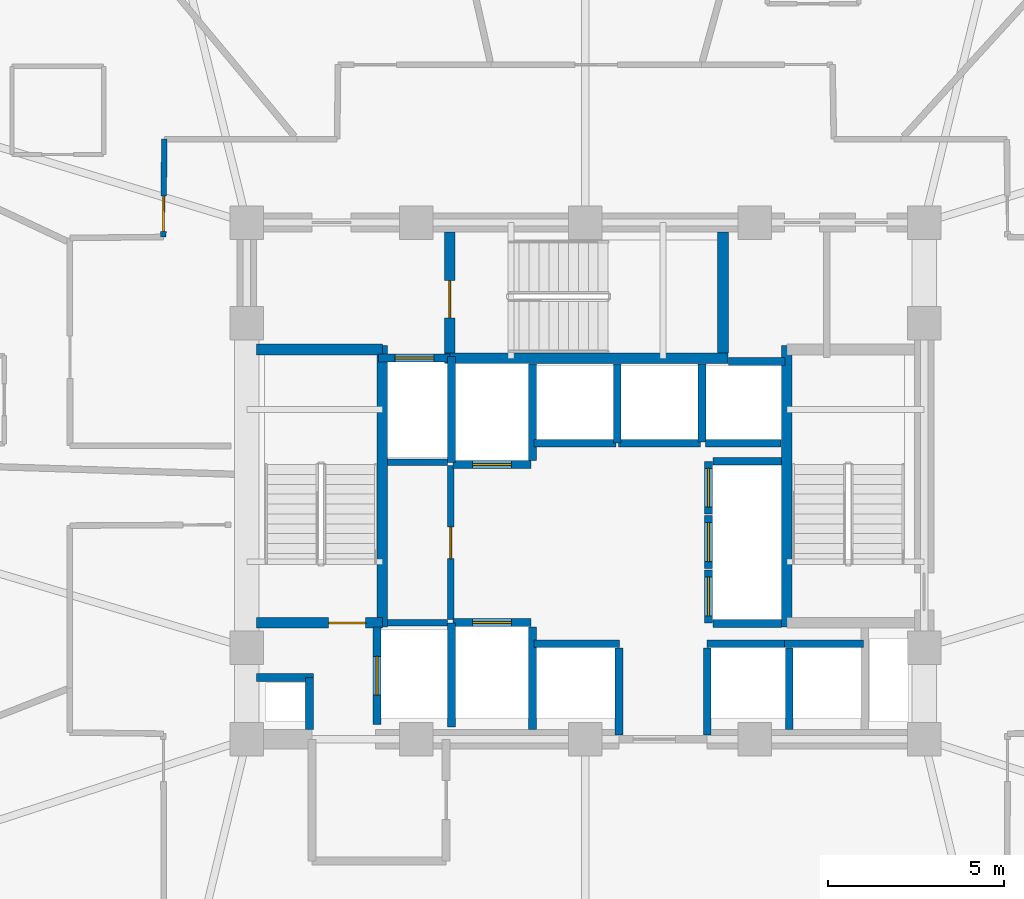
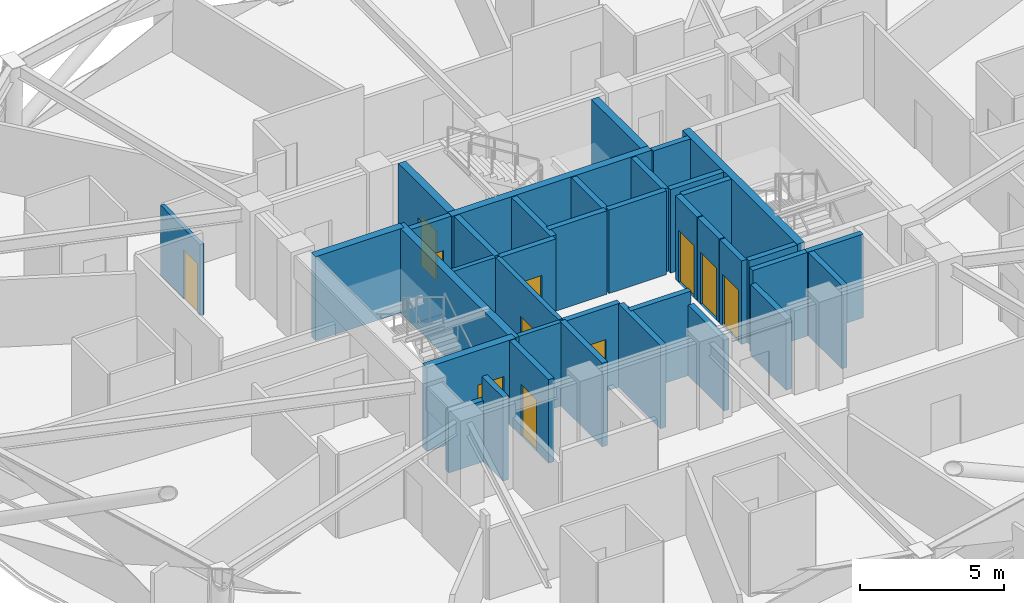
# One storey, part 9 of 15: 38 walls, 11 doors, 11 openings.
"""IFC4 building model written with IfcOpenShell, lengths in metres."""

import ifcopenshell
import ifcopenshell.guid

model = None  # the IFC model being written
_history = None  # IfcOwnerHistory: only IFC2X3 demands one
_inside = {}  # id of a spatial element -> (the spatial element, [elements in it])
_under = {}  # id of a project, library or spatial element -> (it, [spatial elements below it])
_declared = {}  # id of a project -> (the project, [libraries it declares])
_typed = {}  # id of a type object -> (the type object, [elements of that type])
_made_of = {}  # id of a material, layer set ... -> (it, [elements and type objects made of it])


def new_model(schema):
    """Start an empty IFC model of exactly this schema.

    Asked for "IFC4X3", IfcOpenShell would pick the latest addendum, in which some entities
    have other attributes; the version numbers below select the first issue.
    IFC2X3 requires an IfcOwnerHistory on every rooted entity: one is made here for all.
    """
    global model, _history
    if schema == "IFC4X3":
        model = ifcopenshell.file(schema_version=(4, 3, 0, 0))
    else:
        model = ifcopenshell.file(schema=schema)
    _inside.clear()
    _under.clear()
    _declared.clear()
    _typed.clear()
    _made_of.clear()
    _history = None
    if model.schema == "IFC2X3":
        org = make("IfcOrganization", Name="unknown")
        user = make(
            "IfcPersonAndOrganization",
            ThePerson=make("IfcPerson", FamilyName="unknown"),
            TheOrganization=org,
        )
        app = make(
            "IfcApplication",
            ApplicationDeveloper=org,
            Version="unknown",
            ApplicationFullName="unknown",
            ApplicationIdentifier="unknown",
        )
        _history = make(
            "IfcOwnerHistory",
            OwningUser=user,
            OwningApplication=app,
            ChangeAction="ADDED",
            CreationDate=0,
        )
    return model


def make(cls, **values):
    """One entity of the class cls with the attributes given. An attribute that is None is left unset."""
    return model.create_entity(
        cls, **{name: value for name, value in values.items() if value is not None}
    )


def rooted(cls, **values):
    """An entity with a GlobalId (a new one), such as an element, a storey or a relation."""
    return make(cls, GlobalId=ifcopenshell.guid.new(), OwnerHistory=_history, **values)


def si_unit(unit_type, name, prefix=None):
    """IfcSIUnit, for example si_unit("LENGTHUNIT", "METRE", prefix="MILLI")."""
    return make("IfcSIUnit", UnitType=unit_type, Prefix=prefix, Name=name)


def assignment(units):
    """IfcUnitAssignment: the units of a project."""
    return None if units is None else make("IfcUnitAssignment", Units=units)


def point(xyz):
    """IfcCartesianPoint."""
    return None if xyz is None else make("IfcCartesianPoint", Coordinates=xyz)


def direction(xyz):
    """IfcDirection."""
    return None if xyz is None else make("IfcDirection", DirectionRatios=xyz)


def frame(location, z_axis=None, x_axis=None):
    """IfcAxis2Placement3D, a coordinate frame: its origin and axes. An axis left out is left unset."""
    return make(
        "IfcAxis2Placement3D",
        Location=point(location),
        Axis=direction(z_axis),
        RefDirection=direction(x_axis),
    )


def frame_2d(location, x_axis=None):
    """IfcAxis2Placement2D, a coordinate frame in the plane: its origin and x axis."""
    return make(
        "IfcAxis2Placement2D", Location=point(location), RefDirection=direction(x_axis)
    )


def origin():
    """The frame at (0, 0, 0) with its axes left unset."""
    return frame((0.0, 0.0, 0.0))


def place(relative_to, where):
    """IfcLocalPlacement: puts the frame where relative to a parent placement (None: the world)."""
    return make(
        "IfcLocalPlacement", PlacementRelTo=relative_to, RelativePlacement=where
    )


def context(
    kind, dimensions, precision=None, world=None, true_north=None, identifier=None
):
    """IfcGeometricRepresentationContext, for example the 3D "Model" context."""
    return make(
        "IfcGeometricRepresentationContext",
        ContextIdentifier=identifier,
        ContextType=kind,
        CoordinateSpaceDimension=dimensions,
        Precision=precision,
        WorldCoordinateSystem=world,
        TrueNorth=true_north,
    )


def subcontext(parent, identifier, kind, view, scale=None):
    """IfcGeometricRepresentationSubContext, for example "Body" below "Model"."""
    return make(
        "IfcGeometricRepresentationSubContext",
        ContextIdentifier=identifier,
        ContextType=kind,
        ParentContext=parent,
        TargetScale=scale,
        TargetView=view,
    )


def project(units=None, contexts=None):
    """IfcProject with its units and contexts."""
    return rooted(
        "IfcProject",
        Name="project",
        RepresentationContexts=contexts,
        UnitsInContext=assignment(units),
    )


def spatial(cls, under=None, at=None, **own):
    """A site, building, storey or space (cls), placed at a placement, below another one or the project."""
    s = rooted(cls, ObjectPlacement=at, **own)
    if under is not None:
        _under.setdefault(under.id(), (under, []))[1].append(s)
    return s


def profile(cls, at=None, kind="AREA", **sizes):
    """A parametric profile (cls). Its sizes go by their IFC names, for example OverallWidth=200.0."""
    return make(cls, ProfileType=kind, Position=at, **sizes)


def rectangle(**sizes):
    """IfcRectangleProfileDef."""
    return profile("IfcRectangleProfileDef", **sizes)


def extrude(swept, where, along, depth):
    """IfcExtrudedAreaSolid: the profile swept, set in the frame where, extruded along a direction by depth."""
    return make(
        "IfcExtrudedAreaSolid",
        SweptArea=swept,
        Position=where,
        ExtrudedDirection=direction(along),
        Depth=depth,
    )


def shape(context_of_items, identifier, shape_type, items):
    """IfcShapeRepresentation: the items that make up one representation, for example the "Body"."""
    return make(
        "IfcShapeRepresentation",
        ContextOfItems=context_of_items,
        RepresentationIdentifier=identifier,
        RepresentationType=shape_type,
        Items=items,
    )


def material(Name=None, Category=None):
    """IfcMaterial."""
    return make("IfcMaterial", Name=Name, Category=Category)


def layer(
    of_material, thickness, ventilated=None, Name=None, Category=None, Priority=None
):
    """IfcMaterialLayer: one layer of a wall or slab, of a material (None: an air gap)."""
    return make(
        "IfcMaterialLayer",
        Material=of_material,
        LayerThickness=thickness,
        IsVentilated=ventilated,
        Name=Name,
        Category=Category,
        Priority=Priority,
    )


def layer_set(layers, Name=None):
    """IfcMaterialLayerSet."""
    return make("IfcMaterialLayerSet", MaterialLayers=layers, LayerSetName=Name)


def made_of(thing, what):
    """Note that an element or type object is made of a material, layer set ...; save() writes the relation."""
    if what is not None:
        _made_of.setdefault(what.id(), (what, []))[1].append(thing)
    return thing


def type_object(cls, material=None, **own):
    """A type object (cls), such as IfcWallType, which elements share."""
    return made_of(rooted(cls, **own), material)


def element(
    cls,
    number,
    at=None,
    inside=None,
    cuts=None,
    type_object=None,
    material=None,
    context=None,
    identifier="Body",
    shape_type=None,
    held_by="IfcProductDefinitionShape",
    body=None,
    shapes=None,
    **own,
):
    """One element of the class cls, such as IfcWall. Its Tag is "e" and its number.

    at: its placement. inside: the storey or other place that contains it. cuts: it is an
    opening in that element (IfcRelVoidsElement). A single representation is given by context,
    identifier, shape_type and body (its items); several are given by shapes. held_by: the class
    of the entity that holds the representations. save() writes the other relations.
    """
    e = rooted(cls, Tag="e%d" % number, ObjectPlacement=at, **own)
    if body is not None:
        shapes = [shape(context, identifier, shape_type, body)]
    if shapes is not None:
        e.Representation = make(held_by, Representations=shapes)
    if inside is not None:
        _inside.setdefault(inside.id(), (inside, []))[1].append(e)
    if cuts is not None:
        rooted(
            "IfcRelVoidsElement", RelatingBuildingElement=cuts, RelatedOpeningElement=e
        )
    if type_object is not None:
        _typed.setdefault(type_object.id(), (type_object, []))[1].append(e)
    return made_of(e, material)


def fill(opening, filler):
    """IfcRelFillsElement: the door or window that sits in an opening."""
    return rooted(
        "IfcRelFillsElement",
        RelatingOpeningElement=opening,
        RelatedBuildingElement=filler,
    )


def aggregate(whole, parts):
    """IfcRelAggregates: a whole, such as a stair, and the parts it consists of."""
    return rooted("IfcRelAggregates", RelatingObject=whole, RelatedObjects=parts)


def save(model, path):
    """Write the relations noted so far, then the file.

    IfcRelAggregates (storeys below a building ...), IfcRelContainedInSpatialStructure (elements
    in a storey), IfcRelDefinesByType, IfcRelAssociatesMaterial and IfcRelDeclares: one each for
    every whole, place, type object, material and project.
    """
    for whole, parts in _under.values():
        aggregate(whole, parts)
    for where, things in _inside.values():
        rooted(
            "IfcRelContainedInSpatialStructure",
            RelatedElements=things,
            RelatingStructure=where,
        )
    for kind, things in _typed.values():
        rooted("IfcRelDefinesByType", RelatedObjects=things, RelatingType=kind)
    for what, things in _made_of.values():
        rooted("IfcRelAssociatesMaterial", RelatedObjects=things, RelatingMaterial=what)
    for by, libraries in _declared.values():
        rooted("IfcRelDeclares", RelatingContext=by, RelatedDefinitions=libraries)
    model.write(path)


model = new_model("IFC4")

# Units and contexts
model_context = context("Model", 3, precision=1e-05, world=origin(), true_north=direction((0.0, 1.0)))
body_context = subcontext(model_context, "Body", "Model", "MODEL_VIEW")
ifc_project = project(units=[si_unit("LENGTHUNIT", "METRE"), si_unit("AREAUNIT", "SQUARE_METRE"), si_unit("VOLUMEUNIT", "CUBIC_METRE"), si_unit("PLANEANGLEUNIT", "RADIAN"), si_unit("MASSUNIT", "GRAM", prefix="KILO")], contexts=[model_context])

# Site, building, storey
site_placement = place(None, origin())
site = spatial("IfcSite", under=ifc_project, at=site_placement, CompositionType="ELEMENT")
building_placement = place(site_placement, origin())
building = spatial("IfcBuilding", under=site, at=building_placement, Name="Vantalir Tower", CompositionType="ELEMENT")
storey_placement = place(building_placement, frame((0.0, 0.0, 134.699951171875)))
storey = spatial("IfcBuildingStorey", under=building, at=storey_placement, Name="L33", CompositionType="ELEMENT", Elevation=134.699951171875)

# Wall, opening, door
ifc_material_1 = material(Name="Fire-rated hotel corridor acoustic partition", Category="gypsum")
ifc_layer_1 = layer(ifc_material_1, 0.159912109375)
ifc_layer_set_1 = layer_set([ifc_layer_1], Name="Fire-rated hotel corridor acoustic partition")
wall_type_1 = type_object("IfcWallType", Name="WL-CORR-160", PredefinedType="PARTITIONING", material=ifc_layer_set_1)
wall_1_placement = place(storey_placement, frame((19.534912109375, 32.0400390625, 0.0), z_axis=(0.0, 0.0, 1.0), x_axis=(0.009071319538, 0.999958854734, 0.0)))
wall_1 = element("IfcWall", 1, at=wall_1_placement, inside=storey, type_object=wall_type_1, Name="L33 Corridor Partition 04", PredefinedType="PARTITIONING", context=body_context, shape_type="SweptSolid", body=[
    extrude(rectangle(XDim=2.77197265625, YDim=0.159912109375, at=frame_2d((1.385986328125, 0.0))), origin(), (0.0, 0.0, 1.0), 3.006103515625),
])
opening_1_placement = place(wall_1_placement, frame((0.159912109375, 0.0, 0.0)))
opening_1 = element("IfcOpeningElement", 2, at=opening_1_placement, cuts=wall_1, Name="Opening D-GUEST", PredefinedType="OPENING", context=body_context, shape_type="SweptSolid", body=[
    extrude(rectangle(XDim=1.0, YDim=2.10009765625, at=frame_2d((0.5, 1.050048828125))), frame((0.0, 0.08984375, 0.0), z_axis=(0.0, -1.0, 0.0), x_axis=(1.0, 0.0, 0.0)), (0.0, 0.0, 1.0), 0.179931640625),
])
ifc_material_2 = material(Name="Solid-core teak veneer acoustic fire door", Category="wood")
door_type_1 = type_object("IfcDoorType", Name="DR-GUEST-ENTRY-1000", OperationType="NOTDEFINED", PredefinedType="DOOR", material=ifc_material_2)
door_1_placement = place(opening_1_placement, origin())
door_1 = element("IfcDoor", 3, at=door_1_placement, inside=storey, type_object=door_type_1, Name="L33 Twin Queen Hotel Room 05 Door", OperationType="SINGLE_SWING_RIGHT", OverallHeight=2.10009765625, OverallWidth=1.0, PredefinedType="DOOR", context=body_context, shape_type="SweptSolid", body=[
    extrude(rectangle(XDim=1.0, YDim=2.10009765625, at=frame_2d((0.5, 1.050048828125))), frame((0.0, 0.02490234375, 0.0), z_axis=(0.0, -1.0, 0.0), x_axis=(1.0, 0.0, 0.0)), (0.0, 0.0, 1.0), 0.050048828125),
])
fill(opening_1, door_1)

# Walls
ifc_material_3 = material(Name="Concrete blockwork with fireboard lining", Category="masonry")
ifc_layer_2 = layer(ifc_material_3, 0.219970703125)
ifc_layer_set_2 = layer_set([ifc_layer_2], Name="Concrete blockwork with fireboard lining")
wall_type_2 = type_object("IfcWallType", Name="WL-FFL-220", PredefinedType="PARTITIONING", material=ifc_layer_set_2)
wall_2_placement = place(storey_placement, frame((30.0, 18.080078125, 0.0), z_axis=(0.0, 0.0, 1.0), x_axis=(0.0, 1.0, 0.0)))
element("IfcWall", 4, at=wall_2_placement, inside=storey, type_object=wall_type_2, Name="L33 Service Lift SV1 East Shaft Wall", PredefinedType="PARTITIONING", context=body_context, shape_type="SweptSolid", body=[
    extrude(rectangle(XDim=2.89990234375, YDim=0.219970703125, at=frame_2d((1.449951171875, 0.0))), origin(), (0.0, 0.0, 1.0), 3.545166015625),
])
for number, where, z_axis, x_axis, name in (
    (5, (32.449951171875, 17.919921875, 0.0), (0.0, 0.0, 1.0), (0.0, 1.0, 0.0), "L33 Shuttle Lift PL-X1 East Shaft Cheek"),
    (6, (34.949951171875, 17.919921875, 0.0), (0.0, 0.0, 1.0), (0.0, 1.0, 0.0), "L33 Shuttle Lift PL-X3 West Shaft Cheek"),
):
    element("IfcWall", number, at=place(storey_placement, frame(where, z_axis=z_axis, x_axis=x_axis)), inside=storey, type_object=wall_type_2, Name=name, PredefinedType="PARTITIONING", context=body_context, shape_type="SweptSolid", body=[
        extrude(rectangle(XDim=2.469970703125, YDim=0.219970703125, at=frame_2d((1.23486328125, 0.0))), origin(), (0.0, 0.0, 1.0), 3.006103515625),
    ])
wall_3_placement = place(storey_placement, frame((37.27490234375, 18.080078125, 0.0), z_axis=(0.0, 0.0, 1.0), x_axis=(0.0, 1.0, 0.0)))
element("IfcWall", 7, at=wall_3_placement, inside=storey, type_object=wall_type_2, Name="L33 Shuttle Lift PL-X2/X3 Shaft Divider", PredefinedType="PARTITIONING", context=body_context, shape_type="SweptSolid", body=[
    extrude(rectangle(XDim=2.309814453125, YDim=0.219970703125, at=frame_2d((1.15478515625, 0.0))), origin(), (0.0, 0.0, 1.0), 3.545166015625),
])
wall_4_placement = place(storey_placement, frame((30.0, 25.7099609375, 0.0), z_axis=(0.0, 0.0, 1.0), x_axis=(0.0, 1.0, 0.0)))
element("IfcWall", 8, at=wall_4_placement, inside=storey, type_object=wall_type_2, Name="L33 Service Lift SV2 East Shaft Wall", PredefinedType="PARTITIONING", context=body_context, shape_type="SweptSolid", body=[
    extrude(rectangle(XDim=2.72998046875, YDim=0.219970703125, at=frame_2d((1.364990234375, 0.0))), origin(), (0.0, 0.0, 1.0), 3.545166015625),
])
wall_5_placement = place(storey_placement, frame((32.39990234375, 26.199951171875, 0.0), z_axis=(0.0, 0.0, 1.0), x_axis=(0.0, 1.0, 0.0)))
element("IfcWall", 9, at=wall_5_placement, inside=storey, type_object=wall_type_2, Name="L33 High-Rise Lift PL-H1/H2 Shaft Divider", PredefinedType="PARTITIONING", context=body_context, shape_type="SweptSolid", body=[
    extrude(rectangle(XDim=2.239990234375, YDim=0.219970703125, at=frame_2d((1.1201171875, 0.0))), origin(), (0.0, 0.0, 1.0), 3.545166015625),
])
wall_6_placement = place(storey_placement, frame((34.800048828125, 26.22998046875, 0.0), z_axis=(0.0, 0.0, 1.0), x_axis=(0.0, 1.0, 0.0)))
element("IfcWall", 10, at=wall_6_placement, inside=storey, type_object=wall_type_2, Name="L33 High-Rise Lift PL-H2/H3 Shaft Divider", PredefinedType="PARTITIONING", context=body_context, shape_type="SweptSolid", body=[
    extrude(rectangle(XDim=2.2099609375, YDim=0.219970703125, at=frame_2d((1.10498046875, 0.0))), origin(), (0.0, 0.0, 1.0), 3.545166015625),
])
wall_7_placement = place(storey_placement, frame((34.909912109375, 26.18994140625, 0.0), z_axis=(0.0, 0.0, 1.0), x_axis=(1.0, 0.0, 0.0)))
element("IfcWall", 11, at=wall_7_placement, inside=storey, type_object=wall_type_2, Name="L33 High-Rise Lift PL-H3 Rear Shaft Wall", PredefinedType="PARTITIONING", context=body_context, shape_type="SweptSolid", body=[
    extrude(rectangle(XDim=2.14013671875, YDim=0.219970703125, at=frame_2d((1.070068359375, 0.0))), origin(), (0.0, 0.0, 1.0), 3.545166015625),
])
wall_8_placement = place(storey_placement, frame((23.679931640625, 18.074951171875, 0.0), z_axis=(0.0, 0.0, 1.0), x_axis=(0.0, 1.0, 0.0)))
element("IfcWall", 12, at=wall_8_placement, inside=storey, type_object=wall_type_2, Name="L33 West MEP Riser Wall E", PredefinedType="PARTITIONING", context=body_context, shape_type="SweptSolid", body=[
    extrude(rectangle(XDim=1.47509765625, YDim=0.219970703125, at=frame_2d((0.737548828125, 0.0))), origin(), (0.0, 0.0, 1.0), 3.550048828125),
])
wall_9_placement = place(storey_placement, frame((22.175048828125, 19.550048828125, 0.0), z_axis=(0.0, 0.0, 1.0), x_axis=(1.0, 0.0, 0.0)))
element("IfcWall", 13, at=wall_9_placement, inside=storey, type_object=wall_type_2, Name="L33 West MEP Riser Wall N", PredefinedType="PARTITIONING", context=body_context, shape_type="SweptSolid", body=[
    extrude(rectangle(XDim=1.614990234375, YDim=0.219970703125, at=frame_2d((0.8076171875, 0.0))), origin(), (0.0, 0.0, 1.0), 2.594970703125),
])

# Wall, opening, door
wall_10_placement = place(storey_placement, frame((25.590087890625, 18.219970703125, 0.0), z_axis=(0.0, 0.0, 1.0), x_axis=(0.0, 1.0, 0.0)))
wall_10 = element("IfcWall", 14, at=wall_10_placement, inside=storey, type_object=wall_type_2, Name="L33 Lift FL1 Shaft Front Wall", PredefinedType="PARTITIONING", context=body_context, shape_type="SweptSolid", body=[
    extrude(rectangle(XDim=2.760009765625, YDim=0.219970703125, at=frame_2d((1.3798828125, 0.0))), origin(), (0.0, 0.0, 1.0), 3.550048828125),
])
opening_2_placement = place(wall_10_placement, frame((0.830078125, 0.0, 0.0)))
opening_2 = element("IfcOpeningElement", 15, at=opening_2_placement, cuts=wall_10, Name="Opening LD-FL1", PredefinedType="OPENING", context=body_context, shape_type="SweptSolid", body=[
    extrude(rectangle(XDim=1.10009765625, YDim=2.199951171875, at=frame_2d((0.550048828125, 1.10009765625))), frame((0.0, 0.119873046875, 0.0), z_axis=(0.0, -1.0, 0.0), x_axis=(1.0, 0.0, 0.0)), (0.0, 0.0, 1.0), 0.239990234375),
])
ifc_material_4 = material(Name="Brushed stainless-steel sliding lift landing door", Category="steel")
door_type_2 = type_object("IfcDoorType", Name="DR-LIFT-LANDING-1100", OperationType="DOUBLE_DOOR_SLIDING", PredefinedType="DOOR", material=ifc_material_4)
door_2_placement = place(opening_2_placement, origin())
door_2 = element("IfcDoor", 16, at=door_2_placement, inside=storey, type_object=door_type_2, Name="L33 Lift Landing Door FL1", OperationType="DOUBLE_DOOR_SLIDING", OverallHeight=2.199951171875, OverallWidth=1.10009765625, PredefinedType="DOOR", context=body_context, shape_type="SweptSolid", body=[
    extrude(rectangle(XDim=1.10009765625, YDim=2.199951171875, at=frame_2d((0.550048828125, 1.10009765625))), frame((0.0, 0.02490234375, 0.0), z_axis=(0.0, -1.0, 0.0), x_axis=(1.0, 0.0, 0.0)), (0.0, 0.0, 1.0), 0.050048828125),
])
fill(opening_2, door_2)

wall_11_placement = place(storey_placement, frame((25.639892578125, 28.610107421875, 0.0), z_axis=(0.0, 0.0, 1.0), x_axis=(1.0, 0.0, 0.0)))
wall_11 = element("IfcWall", 17, at=wall_11_placement, inside=storey, type_object=wall_type_2, Name="L33 Lift FL2 Shaft Front Wall", PredefinedType="PARTITIONING", context=body_context, shape_type="SweptSolid", body=[
    extrude(rectangle(XDim=2.02001953125, YDim=0.219970703125, at=frame_2d((1.010009765625, 0.0))), origin(), (0.0, 0.0, 1.0), 3.550048828125),
])
opening_3_placement = place(wall_11_placement, frame((0.4599609375, 0.0, 0.0)))
opening_3 = element("IfcOpeningElement", 18, at=opening_3_placement, cuts=wall_11, Name="Opening LD-FL2", PredefinedType="OPENING", context=body_context, shape_type="SweptSolid", body=[
    extrude(rectangle(XDim=1.10009765625, YDim=2.199951171875, at=frame_2d((0.550048828125, 1.10009765625))), frame((0.0, 0.119873046875, 0.0), z_axis=(0.0, -1.0, 0.0), x_axis=(1.0, 0.0, 0.0)), (0.0, 0.0, 1.0), 0.239990234375),
])
door_3_placement = place(opening_3_placement, origin())
door_3 = element("IfcDoor", 19, at=door_3_placement, inside=storey, type_object=door_type_2, Name="L33 Lift Landing Door FL2", OperationType="DOUBLE_DOOR_SLIDING", OverallHeight=2.199951171875, OverallWidth=1.10009765625, PredefinedType="DOOR", context=body_context, shape_type="SweptSolid", body=[
    extrude(rectangle(XDim=1.10009765625, YDim=2.199951171875, at=frame_2d((0.550048828125, 1.10009765625))), frame((0.0, 0.02490234375, 0.0), z_axis=(0.0, -1.0, 0.0), x_axis=(1.0, 0.0, 0.0)), (0.0, 0.0, 1.0), 0.050048828125),
])
fill(opening_3, door_3)

wall_12_placement = place(storey_placement, frame((27.739990234375, 21.110107421875, 0.0), z_axis=(0.0, 0.0, 1.0), x_axis=(1.0, 0.0, 0.0)))
wall_12 = element("IfcWall", 20, at=wall_12_placement, inside=storey, type_object=wall_type_2, Name="L33 Lift SV1 Shaft Front Wall", PredefinedType="PARTITIONING", context=body_context, shape_type="SweptSolid", body=[
    extrude(rectangle(XDim=2.219970703125, YDim=0.219970703125, at=frame_2d((1.10986328125, 0.0))), origin(), (0.0, 0.0, 1.0), 3.550048828125),
])
opening_4_placement = place(wall_12_placement, frame((0.56005859375, 0.0, 0.0)))
opening_4 = element("IfcOpeningElement", 21, at=opening_4_placement, cuts=wall_12, Name="Opening LD-SV1", PredefinedType="OPENING", context=body_context, shape_type="SweptSolid", body=[
    extrude(rectangle(XDim=1.10009765625, YDim=2.199951171875, at=frame_2d((0.550048828125, 1.10009765625))), frame((0.0, 0.119873046875, 0.0), z_axis=(0.0, -1.0, 0.0), x_axis=(1.0, 0.0, 0.0)), (0.0, 0.0, 1.0), 0.239990234375),
])
door_4_placement = place(opening_4_placement, origin())
door_4 = element("IfcDoor", 22, at=door_4_placement, inside=storey, type_object=door_type_2, Name="L33 Lift Landing Door SV1", OperationType="DOUBLE_DOOR_SLIDING", OverallHeight=2.199951171875, OverallWidth=1.10009765625, PredefinedType="DOOR", context=body_context, shape_type="SweptSolid", body=[
    extrude(rectangle(XDim=1.10009765625, YDim=2.199951171875, at=frame_2d((0.550048828125, 1.10009765625))), frame((0.0, 0.02490234375, 0.0), z_axis=(0.0, -1.0, 0.0), x_axis=(1.0, 0.0, 0.0)), (0.0, 0.0, 1.0), 0.050048828125),
])
fill(opening_4, door_4)

wall_13_placement = place(storey_placement, frame((27.739990234375, 25.590087890625, 0.0), z_axis=(0.0, 0.0, 1.0), x_axis=(1.0, 0.0, 0.0)))
wall_13 = element("IfcWall", 23, at=wall_13_placement, inside=storey, type_object=wall_type_2, Name="L33 Lift SV2 Shaft Front Wall", PredefinedType="PARTITIONING", context=body_context, shape_type="SweptSolid", body=[
    extrude(rectangle(XDim=2.219970703125, YDim=0.219970703125, at=frame_2d((1.10986328125, 0.0))), origin(), (0.0, 0.0, 1.0), 3.550048828125),
])
opening_5_placement = place(wall_13_placement, frame((0.56005859375, 0.0, 0.0)))
opening_5 = element("IfcOpeningElement", 24, at=opening_5_placement, cuts=wall_13, Name="Opening LD-SV2", PredefinedType="OPENING", context=body_context, shape_type="SweptSolid", body=[
    extrude(rectangle(XDim=1.10009765625, YDim=2.199951171875, at=frame_2d((0.550048828125, 1.10009765625))), frame((0.0, 0.119873046875, 0.0), z_axis=(0.0, -1.0, 0.0), x_axis=(1.0, 0.0, 0.0)), (0.0, 0.0, 1.0), 0.239990234375),
])
door_5_placement = place(opening_5_placement, frame((1.10009765625, 0.0, 0.0), z_axis=(0.0, 0.0, 1.0), x_axis=(-1.0, 0.0, 0.0)))
door_5 = element("IfcDoor", 25, at=door_5_placement, inside=storey, type_object=door_type_2, Name="L33 Lift Landing Door SV2", OperationType="DOUBLE_DOOR_SLIDING", OverallHeight=2.199951171875, OverallWidth=1.10009765625, PredefinedType="DOOR", context=body_context, shape_type="SweptSolid", body=[
    extrude(rectangle(XDim=1.10009765625, YDim=2.199951171875, at=frame_2d((0.550048828125, 1.10009765625))), frame((0.0, 0.02490234375, 0.0), z_axis=(0.0, -1.0, 0.0), x_axis=(1.0, 0.0, 0.0)), (0.0, 0.0, 1.0), 0.050048828125),
])
fill(opening_5, door_5)

# Walls
wall_14_placement = place(storey_placement, frame((30.0400390625, 20.510009765625, 0.0), z_axis=(0.0, 0.0, 1.0), x_axis=(1.0, 0.0, 0.0)))
element("IfcWall", 26, at=wall_14_placement, inside=storey, type_object=wall_type_2, Name="L33 Lift PL-X1 Shaft Front Wall", PredefinedType="PARTITIONING", context=body_context, shape_type="SweptSolid", body=[
    extrude(rectangle(XDim=2.419921875, YDim=0.219970703125, at=frame_2d((1.2099609375, 0.0))), origin(), (0.0, 0.0, 1.0), 3.550048828125),
])
for number, where, z_axis, x_axis, name in (
    (27, (37.139892578125, 20.510009765625, 0.0), (0.0, 0.0, 1.0), (1.0, 0.0, 0.0), "L33 Lift PL-X2 Shaft Rear Wall"),
    (28, (34.93994140625, 20.510009765625, 0.0), (0.0, 0.0, 1.0), (1.0, 0.0, 0.0), "L33 Lift PL-X3 Shaft Front Wall"),
):
    element("IfcWall", number, at=place(storey_placement, frame(where, z_axis=z_axis, x_axis=x_axis)), inside=storey, type_object=wall_type_2, Name=name, PredefinedType="PARTITIONING", context=body_context, shape_type="SweptSolid", body=[
        extrude(rectangle(XDim=2.239990234375, YDim=0.219970703125, at=frame_2d((1.1201171875, 0.0))), origin(), (0.0, 0.0, 1.0), 3.550048828125),
    ])
for number, where, z_axis, x_axis, name in (
    (29, (30.0400390625, 26.18994140625, 0.0), (0.0, 0.0, 1.0), (1.0, 0.0, 0.0), "L33 Lift PL-H1 Shaft Front Wall"),
    (30, (32.43994140625, 26.18994140625, 0.0), (0.0, 0.0, 1.0), (1.0, 0.0, 0.0), "L33 Lift PL-H2 Shaft Front Wall"),
):
    element("IfcWall", number, at=place(storey_placement, frame(where, z_axis=z_axis, x_axis=x_axis)), inside=storey, type_object=wall_type_2, Name=name, PredefinedType="PARTITIONING", context=body_context, shape_type="SweptSolid", body=[
        extrude(rectangle(XDim=2.320068359375, YDim=0.219970703125, at=frame_2d((1.16015625, 0.0))), origin(), (0.0, 0.0, 1.0), 3.550048828125),
    ])
wall_15_placement = place(storey_placement, frame((35.56005859375, 28.510009765625, 0.0), z_axis=(0.0, 0.0, 1.0), x_axis=(1.0, 0.0, 0.0)))
element("IfcWall", 31, at=wall_15_placement, inside=storey, type_object=wall_type_2, Name="L33 Lift PL-H3 Shaft Front Wall", PredefinedType="PARTITIONING", context=body_context, shape_type="SweptSolid", body=[
    extrude(rectangle(XDim=1.599853515625, YDim=0.219970703125, at=frame_2d((0.7998046875, 0.0))), origin(), (0.0, 0.0, 1.0), 3.550048828125),
])

# Wall, opening, door
wall_16_placement = place(storey_placement, frame((34.989990234375, 21.10009765625, 0.0), z_axis=(0.0, 0.0, 1.0), x_axis=(0.0, 1.0, 0.0)))
wall_16 = element("IfcWall", 32, at=wall_16_placement, inside=storey, type_object=wall_type_2, Name="L33 Lift PL-M1 Shaft Front Wall", PredefinedType="PARTITIONING", context=body_context, shape_type="SweptSolid", body=[
    extrude(rectangle(XDim=1.5, YDim=0.219970703125, at=frame_2d((0.75, 0.0))), origin(), (0.0, 0.0, 1.0), 3.550048828125),
])
opening_6_placement = place(wall_16_placement, frame((0.199951171875, 0.0, 0.0)))
opening_6 = element("IfcOpeningElement", 33, at=opening_6_placement, cuts=wall_16, Name="Opening LD-PL-M1", PredefinedType="OPENING", context=body_context, shape_type="SweptSolid", body=[
    extrude(rectangle(XDim=1.10009765625, YDim=2.199951171875, at=frame_2d((0.550048828125, 1.10009765625))), frame((0.0, 0.119873046875, 0.0), z_axis=(0.0, -1.0, 0.0), x_axis=(1.0, 0.0, 0.0)), (0.0, 0.0, 1.0), 0.239990234375),
])
door_6_placement = place(opening_6_placement, origin())
door_6 = element("IfcDoor", 34, at=door_6_placement, inside=storey, type_object=door_type_2, Name="L33 Lift Landing Door PL-M1", OperationType="DOUBLE_DOOR_SLIDING", OverallHeight=2.199951171875, OverallWidth=1.10009765625, PredefinedType="DOOR", context=body_context, shape_type="SweptSolid", body=[
    extrude(rectangle(XDim=1.10009765625, YDim=2.199951171875, at=frame_2d((0.550048828125, 1.10009765625))), frame((0.0, 0.02490234375, 0.0), z_axis=(0.0, -1.0, 0.0), x_axis=(1.0, 0.0, 0.0)), (0.0, 0.0, 1.0), 0.050048828125),
])
fill(opening_6, door_6)

wall_17_placement = place(storey_placement, frame((34.989990234375, 22.639892578125, 0.0), z_axis=(0.0, 0.0, 1.0), x_axis=(0.0, 1.0, 0.0)))
wall_17 = element("IfcWall", 35, at=wall_17_placement, inside=storey, type_object=wall_type_2, Name="L33 Lift PL-M2 Shaft Front Wall", PredefinedType="PARTITIONING", context=body_context, shape_type="SweptSolid", body=[
    extrude(rectangle(XDim=1.5, YDim=0.219970703125, at=frame_2d((0.75, 0.0))), origin(), (0.0, 0.0, 1.0), 3.550048828125),
])
opening_7_placement = place(wall_17_placement, frame((0.199951171875, 0.0, 0.0)))
opening_7 = element("IfcOpeningElement", 36, at=opening_7_placement, cuts=wall_17, Name="Opening LD-PL-M2", PredefinedType="OPENING", context=body_context, shape_type="SweptSolid", body=[
    extrude(rectangle(XDim=1.10009765625, YDim=2.199951171875, at=frame_2d((0.550048828125, 1.10009765625))), frame((0.0, 0.119873046875, 0.0), z_axis=(0.0, -1.0, 0.0), x_axis=(1.0, 0.0, 0.0)), (0.0, 0.0, 1.0), 0.239990234375),
])
door_7_placement = place(opening_7_placement, origin())
door_7 = element("IfcDoor", 37, at=door_7_placement, inside=storey, type_object=door_type_2, Name="L33 Lift Landing Door PL-M2", OperationType="DOUBLE_DOOR_SLIDING", OverallHeight=2.199951171875, OverallWidth=1.10009765625, PredefinedType="DOOR", context=body_context, shape_type="SweptSolid", body=[
    extrude(rectangle(XDim=1.10009765625, YDim=2.199951171875, at=frame_2d((0.550048828125, 1.10009765625))), frame((0.0, 0.02490234375, 0.0), z_axis=(0.0, -1.0, 0.0), x_axis=(1.0, 0.0, 0.0)), (0.0, 0.0, 1.0), 0.050048828125),
])
fill(opening_7, door_7)

wall_18_placement = place(storey_placement, frame((34.989990234375, 24.179931640625, 0.0), z_axis=(0.0, 0.0, 1.0), x_axis=(0.0, 1.0, 0.0)))
wall_18 = element("IfcWall", 38, at=wall_18_placement, inside=storey, type_object=wall_type_2, Name="L33 Lift PL-M3 Shaft Front Wall", PredefinedType="PARTITIONING", context=body_context, shape_type="SweptSolid", body=[
    extrude(rectangle(XDim=1.5, YDim=0.219970703125, at=frame_2d((0.75, 0.0))), origin(), (0.0, 0.0, 1.0), 3.550048828125),
])
opening_8_placement = place(wall_18_placement, frame((0.199951171875, 0.0, 0.0)))
opening_8 = element("IfcOpeningElement", 39, at=opening_8_placement, cuts=wall_18, Name="Opening LD-PL-M3", PredefinedType="OPENING", context=body_context, shape_type="SweptSolid", body=[
    extrude(rectangle(XDim=1.10009765625, YDim=2.199951171875, at=frame_2d((0.550048828125, 1.10009765625))), frame((0.0, 0.119873046875, 0.0), z_axis=(0.0, -1.0, 0.0), x_axis=(1.0, 0.0, 0.0)), (0.0, 0.0, 1.0), 0.239990234375),
])
door_8_placement = place(opening_8_placement, origin())
door_8 = element("IfcDoor", 40, at=door_8_placement, inside=storey, type_object=door_type_2, Name="L33 Lift Landing Door PL-M3", OperationType="DOUBLE_DOOR_SLIDING", OverallHeight=2.199951171875, OverallWidth=1.10009765625, PredefinedType="DOOR", context=body_context, shape_type="SweptSolid", body=[
    extrude(rectangle(XDim=1.10009765625, YDim=2.199951171875, at=frame_2d((0.550048828125, 1.10009765625))), frame((0.0, 0.02490234375, 0.0), z_axis=(0.0, -1.0, 0.0), x_axis=(1.0, 0.0, 0.0)), (0.0, 0.0, 1.0), 0.050048828125),
])
fill(opening_8, door_8)

# Walls
wall_19_placement = place(storey_placement, frame((27.699951171875, 18.14990234375, 0.0), z_axis=(0.0, 0.0, 1.0), x_axis=(0.0, 1.0, 0.0)))
element("IfcWall", 41, at=wall_19_placement, inside=storey, type_object=wall_type_2, Name="L33 Fire Lift FL1 Dividing Wall", PredefinedType="PARTITIONING", context=body_context, shape_type="SweptSolid", body=[
    extrude(rectangle(XDim=2.9501953125, YDim=0.219970703125, at=frame_2d((1.47509765625, 0.0))), origin(), (0.0, 0.0, 1.0), 3.550048828125),
])
wall_20_placement = place(storey_placement, frame((27.699951171875, 25.64990234375, 0.0), z_axis=(0.0, 0.0, 1.0), x_axis=(0.0, 1.0, 0.0)))
element("IfcWall", 42, at=wall_20_placement, inside=storey, type_object=wall_type_2, Name="L33 Fire Lift FL2 Dividing Wall", PredefinedType="PARTITIONING", context=body_context, shape_type="SweptSolid", body=[
    extrude(rectangle(XDim=3.0, YDim=0.219970703125, at=frame_2d((1.5, 0.0))), origin(), (0.0, 0.0, 1.0), 3.550048828125),
])
for number, where, z_axis, x_axis, name in (
    (43, (35.1201171875, 21.080078125, 0.0), (0.0, 0.0, 1.0), (1.0, 0.0, 0.0), "L33 Mid-Rise Bank South Wall"),
    (44, (35.1201171875, 25.679931640625, 0.0), (0.0, 0.0, 1.0), (1.0, 0.0, 0.0), "L33 Mid-Rise Bank North Wall"),
):
    element("IfcWall", number, at=place(storey_placement, frame(where, z_axis=z_axis, x_axis=x_axis)), inside=storey, type_object=wall_type_2, Name=name, PredefinedType="PARTITIONING", context=body_context, shape_type="SweptSolid", body=[
        extrude(rectangle(XDim=1.93994140625, YDim=0.219970703125, at=frame_2d((0.969970703125, 0.0))), origin(), (0.0, 0.0, 1.0), 3.550048828125),
    ])
ifc_material_5 = material(Name="Twin-stud acoustic fire-rated gypsum partition", Category="gypsum")
ifc_layer_3 = layer(ifc_material_5, 0.179931640625)
ifc_layer_set_3 = layer_set([ifc_layer_3], Name="Twin-stud acoustic fire-rated gypsum partition")
wall_type_3 = type_object("IfcWallType", Name="WL-GUEST-180", PredefinedType="PARTITIONING", material=ifc_layer_set_3)
for number, where, z_axis, x_axis, name in (
    (45, (25.889892578125, 21.10009765625, 0.0), (0.0, 0.0, 1.0), (1.0, 0.0, 0.0), "L33 Freed West Core South Wall"),
    (46, (25.889892578125, 25.64990234375, 0.0), (0.0, 0.0, 1.0), (1.0, 0.0, 0.0), "L33 Freed West Core North Wall"),
):
    element("IfcWall", number, at=place(storey_placement, frame(where, z_axis=z_axis, x_axis=x_axis)), inside=storey, type_object=wall_type_3, Name=name, PredefinedType="PARTITIONING", context=body_context, shape_type="SweptSolid", body=[
        extrude(rectangle(XDim=1.7001953125, YDim=0.179931640625, at=frame_2d((0.85009765625, 0.0))), origin(), (0.0, 0.0, 1.0), 3.550048828125),
    ])

# Wall, opening, door
wall_21_placement = place(storey_placement, frame((27.679931640625, 21.18994140625, 0.0), z_axis=(0.0, 0.0, 1.0), x_axis=(0.0, 1.0, 0.0)))
wall_21 = element("IfcWall", 47, at=wall_21_placement, inside=storey, type_object=wall_type_3, Name="L33 West Pantry East Wall", PredefinedType="PARTITIONING", context=body_context, shape_type="SweptSolid", body=[
    extrude(rectangle(XDim=4.3701171875, YDim=0.179931640625, at=frame_2d((2.18505859375, 0.0))), origin(), (0.0, 0.0, 1.0), 3.550048828125),
])
opening_9_placement = place(wall_21_placement, frame((1.735107421875, 0.0, 0.0)))
opening_9 = element("IfcOpeningElement", 48, at=opening_9_placement, cuts=wall_21, Name="Opening D-CR", PredefinedType="OPENING", context=body_context, shape_type="SweptSolid", body=[
    extrude(rectangle(XDim=0.89990234375, YDim=2.10009765625, at=frame_2d((0.449951171875, 1.050048828125))), frame((0.0, 0.099853515625, 0.0), z_axis=(0.0, -1.0, 0.0), x_axis=(1.0, 0.0, 0.0)), (0.0, 0.0, 1.0), 0.199951171875),
])
ifc_material_6 = material(Name="Fire-rated steel core service door", Category="steel")
door_type_3 = type_object("IfcDoorType", Name="DR-CORE-SERV-900", OperationType="NOTDEFINED", PredefinedType="DOOR", material=ifc_material_6)
door_9_placement = place(opening_9_placement, origin())
door_9 = element("IfcDoor", 49, at=door_9_placement, inside=storey, type_object=door_type_3, Name="L33 Core Pantry Door", OperationType="SINGLE_SWING_LEFT", OverallHeight=2.10009765625, OverallWidth=0.89990234375, PredefinedType="DOOR", context=body_context, shape_type="SweptSolid", body=[
    extrude(rectangle(XDim=0.89990234375, YDim=2.10009765625, at=frame_2d((0.449951171875, 1.050048828125))), frame((0.0, 0.02490234375, 0.0), z_axis=(0.0, -1.0, 0.0), x_axis=(1.0, 0.0, 0.0)), (0.0, 0.0, 1.0), 0.050048828125),
])
fill(opening_9, door_9)

ifc_material_7 = material(Name="Concrete C50/60", Category="concrete")
ifc_layer_4 = layer(ifc_material_7, 0.300048828125)
ifc_layer_set_4 = layer_set([ifc_layer_4], Name="Concrete C50/60")
wall_type_4 = type_object("IfcWallType", Name="WL-STAIR-300", PredefinedType="SHEAR", material=ifc_layer_set_4)
wall_22_placement = place(storey_placement, frame((22.175048828125, 21.10009765625, 0.0), z_axis=(0.0, 0.0, 1.0), x_axis=(1.0, 0.0, 0.0)))
wall_22 = element("IfcWall", 50, at=wall_22_placement, inside=storey, type_object=wall_type_4, Name="L33 Stair ST1 South Wall", PredefinedType="SHEAR", context=body_context, shape_type="SweptSolid", body=[
    extrude(rectangle(XDim=3.56494140625, YDim=0.300048828125, at=frame_2d((1.782470703125, 0.0))), origin(), (0.0, 0.0, 1.0), 3.570068359375),
])
opening_10_placement = place(wall_22_placement, frame((2.044921875, 0.0, 0.0)))
opening_10 = element("IfcOpeningElement", 51, at=opening_10_placement, cuts=wall_22, Name="Opening D-ST", PredefinedType="OPENING", context=body_context, shape_type="SweptSolid", body=[
    extrude(rectangle(XDim=1.050048828125, YDim=2.10009765625, at=frame_2d((0.52490234375, 1.050048828125))), frame((0.0, 0.159912109375, 0.0), z_axis=(0.0, -1.0, 0.0), x_axis=(1.0, 0.0, 0.0)), (0.0, 0.0, 1.0), 0.320068359375),
])
ifc_material_8 = material(Name="Fire-rated steel door leaf", Category="steel")
door_type_4 = type_object("IfcDoorType", Name="DR-FIRE-STAIR-1050", OperationType="NOTDEFINED", PredefinedType="DOOR", material=ifc_material_8)
door_10_placement = place(opening_10_placement, origin())
door_10 = element("IfcDoor", 52, at=door_10_placement, inside=storey, type_object=door_type_4, Name="L33 Exit Stair ST1 Fire Door", OperationType="SINGLE_SWING_RIGHT", OverallHeight=2.10009765625, OverallWidth=1.050048828125, PredefinedType="DOOR", context=body_context, shape_type="SweptSolid", body=[
    extrude(rectangle(XDim=1.050048828125, YDim=2.10009765625, at=frame_2d((0.52490234375, 1.050048828125))), frame((0.0, 0.02490234375, 0.0), z_axis=(0.0, -1.0, 0.0), x_axis=(1.0, 0.0, 0.0)), (0.0, 0.0, 1.0), 0.050048828125),
])
fill(opening_10, door_10)

# Walls
wall_23_placement = place(storey_placement, frame((22.175048828125, 28.85009765625, 0.0), z_axis=(0.0, 0.0, 1.0), x_axis=(1.0, 0.0, 0.0)))
element("IfcWall", 53, at=wall_23_placement, inside=storey, type_object=wall_type_4, Name="L33 Stair ST1 North Wall", PredefinedType="SHEAR", context=body_context, shape_type="SweptSolid", body=[
    extrude(rectangle(XDim=3.56494140625, YDim=0.300048828125, at=frame_2d((1.782470703125, 0.0))), origin(), (0.0, 0.0, 1.0), 3.570068359375),
])
for number, where, z_axis, x_axis, name in (
    (54, (25.739990234375, 20.97998046875, 0.0), (0.0, 0.0, 1.0), (0.0, 1.0, 0.0), "L33 Stair ST1 East Wall"),
    (55, (37.2099609375, 20.97998046875, 0.0), (0.0, 0.0, 1.0), (0.0, 1.0, 0.0), "L33 Stair ST2 West Wall"),
):
    element("IfcWall", number, at=place(storey_placement, frame(where, z_axis=z_axis, x_axis=x_axis)), inside=storey, type_object=wall_type_4, Name=name, PredefinedType="SHEAR", context=body_context, shape_type="SweptSolid", body=[
        extrude(rectangle(XDim=7.989990234375, YDim=0.300048828125, at=frame_2d((3.9951171875, 0.0))), origin(), (0.0, 0.0, 1.0), 3.570068359375),
    ])
wall_24_placement = place(storey_placement, frame((27.510009765625, 28.60009765625, 0.0), z_axis=(0.0, 0.0, 1.0), x_axis=(1.0, 0.0, 0.0)))
element("IfcWall", 56, at=wall_24_placement, inside=storey, type_object=wall_type_4, Name="L33 Stair ST3 South Wall", PredefinedType="SHEAR", context=body_context, shape_type="SweptSolid", body=[
    extrude(rectangle(XDim=8.030029296875, YDim=0.300048828125, at=frame_2d((4.01513671875, 0.0))), origin(), (0.0, 0.0, 1.0), 3.570068359375),
])

# Wall, opening, door
wall_25_placement = place(storey_placement, frame((27.64990234375, 28.75, 0.0), z_axis=(0.0, 0.0, 1.0), x_axis=(0.0, 1.0, 0.0)))
wall_25 = element("IfcWall", 57, at=wall_25_placement, inside=storey, type_object=wall_type_4, Name="L33 Stair ST3 West Wall", PredefinedType="SHEAR", context=body_context, shape_type="SweptSolid", body=[
    extrude(rectangle(XDim=3.425048828125, YDim=0.300048828125, at=frame_2d((1.71240234375, 0.0))), origin(), (0.0, 0.0, 1.0), 3.570068359375),
])
opening_11_placement = place(wall_25_placement, frame((1.0, 0.0, 0.0)))
opening_11 = element("IfcOpeningElement", 58, at=opening_11_placement, cuts=wall_25, Name="Opening D-ST", PredefinedType="OPENING", context=body_context, shape_type="SweptSolid", body=[
    extrude(rectangle(XDim=1.050048828125, YDim=2.10009765625, at=frame_2d((0.52490234375, 1.050048828125))), frame((0.0, 0.159912109375, 0.0), z_axis=(0.0, -1.0, 0.0), x_axis=(1.0, 0.0, 0.0)), (0.0, 0.0, 1.0), 0.320068359375),
])
door_11_placement = place(opening_11_placement, frame((1.050048828125, 0.0, 0.0), z_axis=(0.0, 0.0, 1.0), x_axis=(-1.0, 0.0, 0.0)))
door_11 = element("IfcDoor", 59, at=door_11_placement, inside=storey, type_object=door_type_4, Name="L33 Exit Stair ST3 Fire Door", OperationType="SINGLE_SWING_RIGHT", OverallHeight=2.10009765625, OverallWidth=1.050048828125, PredefinedType="DOOR", context=body_context, shape_type="SweptSolid", body=[
    extrude(rectangle(XDim=1.050048828125, YDim=2.10009765625, at=frame_2d((0.52490234375, 1.050048828125))), frame((0.0, 0.02490234375, 0.0), z_axis=(0.0, -1.0, 0.0), x_axis=(1.0, 0.0, 0.0)), (0.0, 0.0, 1.0), 0.050048828125),
])
fill(opening_11, door_11)

# Wall
wall_26_placement = place(storey_placement, frame((35.39990234375, 28.75, 0.0), z_axis=(0.0, 0.0, 1.0), x_axis=(0.0, 1.0, 0.0)))
element("IfcWall", 60, at=wall_26_placement, inside=storey, type_object=wall_type_4, Name="L33 Stair ST3 East Wall", PredefinedType="SHEAR", context=body_context, shape_type="SweptSolid", body=[
    extrude(rectangle(XDim=3.425048828125, YDim=0.300048828125, at=frame_2d((1.71240234375, 0.0))), origin(), (0.0, 0.0, 1.0), 3.570068359375),
])

save(model, "model.ifc")
